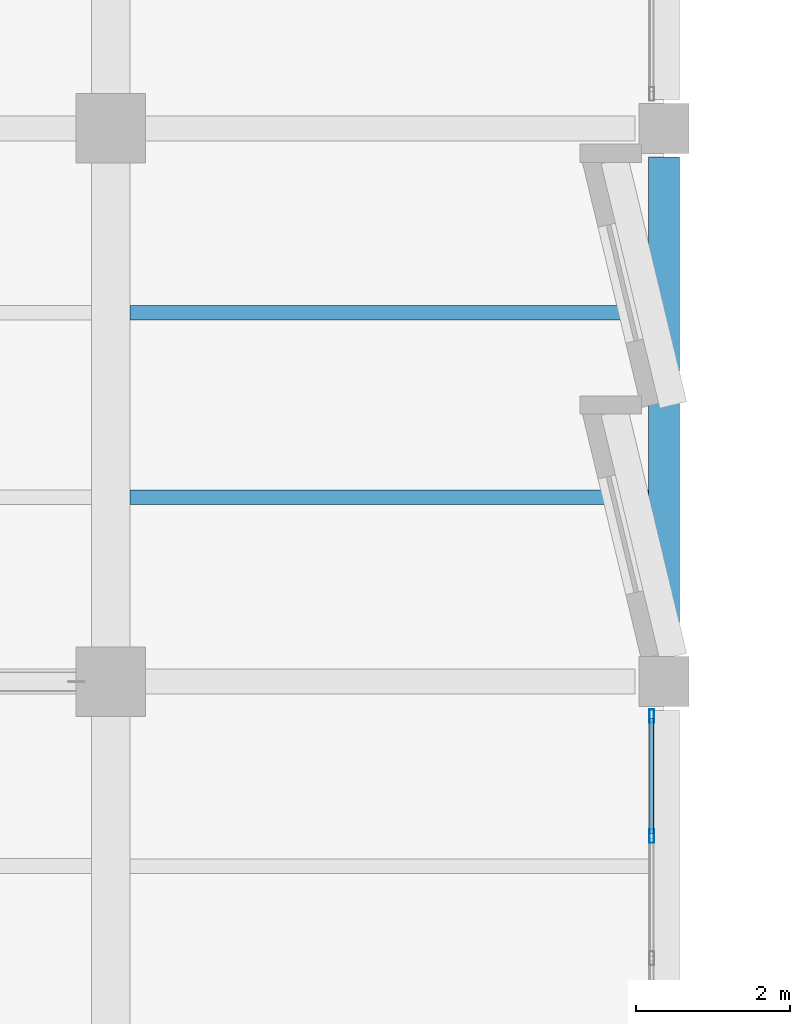
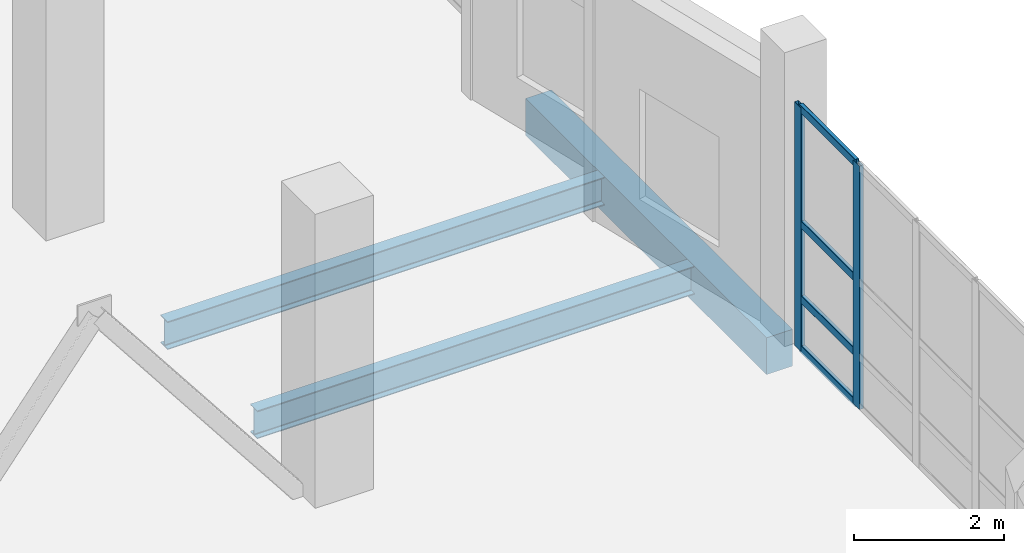
# One storey, part 18 of 127: 6 members, 3 beams, 1 element without a shape of its own.
"""IFC4 building model written with IfcOpenShell, lengths in metres."""

from ifc_helpers import new_model, si_unit, direction, frame, origin, origin_2d, place, context, subcontext, project, spatial, rectangle, hollow_rectangle, i_section, extrude, material, material_profile, profile_set, type_object, element, aggregate, save


model = new_model("IFC4")

# Units and contexts
model_context = context("Model", 3, precision=1e-05, world=origin(), true_north=direction((0.0, 1.0)))
body_context = subcontext(model_context, "Body", "Model", "MODEL_VIEW")
ifc_project = project(units=[si_unit("LENGTHUNIT", "METRE"), si_unit("AREAUNIT", "SQUARE_METRE"), si_unit("VOLUMEUNIT", "CUBIC_METRE"), si_unit("PLANEANGLEUNIT", "RADIAN"), si_unit("MASSUNIT", "GRAM", prefix="KILO")], contexts=[model_context])

# Site, building, storey
site_placement = place(None, origin())
site = spatial("IfcSite", under=ifc_project, at=site_placement, CompositionType="ELEMENT")
building_placement = place(site_placement, origin())
building = spatial("IfcBuilding", under=site, at=building_placement, Name="Kalmorath City Hall", CompositionType="ELEMENT")
storey_placement = place(building_placement, frame((0.0, 0.0, 5.39990234375)))
storey = spatial("IfcBuildingStorey", under=building, at=storey_placement, Name="L01", CompositionType="ELEMENT", Elevation=5.39990234375)

# Beam
ifc_material_1 = material(Name="Concrete C40/50", Category="concrete")
ifc_material_profile_1 = material_profile(ifc_material_1, rectangle(XDim=0.39990234375, YDim=0.60009765625, at=origin_2d()), Name="RC-BM-400X600")
ifc_profile_set_1 = profile_set([ifc_material_profile_1], Name="Concrete C40/50")
beam_type_1 = type_object("IfcBeamType", Name="Concrete edge beam 400x600", PredefinedType="SPANDREL", material=ifc_profile_set_1)
beam_placement = place(storey_placement, frame((28.800048828125, 50.77490234375, -0.6240234375), z_axis=(0.0, 1.0, 0.0), x_axis=(-1.0, 0.0, 0.0)))
element("IfcBeam", 1, at=beam_placement, inside=storey, type_object=beam_type_1, Name="L01 girder CB6 Y5/8-9", PredefinedType="SPANDREL", context=body_context, shape_type="SweptSolid", body=[
    extrude(rectangle(XDim=0.39990234375, YDim=0.60009765625, at=origin_2d()), origin(), (0.0, 0.0, 1.0), 6.4501953125),
])

# Curtain wall, members
ifc_material_2 = material(Name="Anodised aluminium and laminated glass", Category="aluminium")
curtain_wall_type = type_object("IfcCurtainWallType", Name="Unitised hurricane curtain wall 6370x3976 M1750", PredefinedType="NOTDEFINED", material=ifc_material_2)
curtain_wall_placement = place(storey_placement, origin())
curtain_wall = element("IfcCurtainWall", 2, at=curtain_wall_placement, inside=storey, type_object=curtain_wall_type, Name="L01 curtain wall CW-64X40M18 #111", PredefinedType="NOTDEFINED")
ifc_material_3 = material(Name="Anodised aluminium framing", Category="aluminium")
ifc_material_profile_2 = material_profile(ifc_material_3, hollow_rectangle(XDim=0.06494140625, YDim=0.179931640625, WallThickness=0.00390625, InnerFilletRadius=0.00390625, OuterFilletRadius=0.008056640625, at=origin_2d()), Name="ALU-MUL-180X65X4")
ifc_profile_set_2 = profile_set([ifc_material_profile_2], Name="Anodised aluminium framing")
member_type_1 = type_object("IfcMemberType", Name="Curtain-wall courtyard mullion 180x65", PredefinedType="MULLION", material=ifc_profile_set_2)
member_1_placement = place(storey_placement, frame((28.639892578125, 49.952392578125, 0.0), z_axis=(0.0, 0.0, 1.0), x_axis=(1.0, 0.0, 0.0)))
member_1 = element("IfcMember", 3, at=member_1_placement, type_object=member_type_1, Name="CW-64X40M18 mullion 1", PredefinedType="MULLION", context=body_context, shape_type="SweptSolid", body=[
    extrude(hollow_rectangle(XDim=0.06494140625, YDim=0.179931640625, WallThickness=0.00390625, InnerFilletRadius=0.00390625, OuterFilletRadius=0.008056640625, at=origin_2d()), origin(), (0.0, 0.0, 1.0), 3.97607421875),
])
member_2_placement = place(storey_placement, frame((28.639892578125, 48.392578125, 0.0), z_axis=(0.0, 0.0, 1.0), x_axis=(1.0, 0.0, 0.0)))
member_2 = element("IfcMember", 4, at=member_2_placement, type_object=member_type_1, Name="CW-64X40M18 mullion 2", PredefinedType="MULLION", context=body_context, shape_type="SweptSolid", body=[
    extrude(hollow_rectangle(XDim=0.06494140625, YDim=0.179931640625, WallThickness=0.00390625, InnerFilletRadius=0.00390625, OuterFilletRadius=0.008056640625, at=origin_2d()), origin(), (0.0, 0.0, 1.0), 3.97607421875),
])
ifc_material_4 = material(Name="Anodised aluminium framing", Category="aluminium")
ifc_material_profile_3 = material_profile(ifc_material_4, hollow_rectangle(XDim=0.06005859375, YDim=0.1298828125, WallThickness=0.00341796875, InnerFilletRadius=0.00341796875, OuterFilletRadius=0.007080078125, at=origin_2d()), Name="ALU-TRN-130X60X3.5")
ifc_profile_set_3 = profile_set([ifc_material_profile_3], Name="Anodised aluminium framing")
member_type_2 = type_object("IfcMemberType", Name="Curtain-wall courtyard transom 130x60", PredefinedType="USERDEFINED", material=ifc_profile_set_3)
member_3_placement = place(storey_placement, frame((28.639892578125, 49.919921875, 0.030029296875), z_axis=(0.0, -1.0, 0.0), x_axis=(1.0, 0.0, 0.0)))
member_3 = element("IfcMember", 5, at=member_3_placement, type_object=member_type_2, Name="CW-64X40M18 transom 1.1", ObjectType="TRANSOM", PredefinedType="USERDEFINED", context=body_context, shape_type="SweptSolid", body=[
    extrude(hollow_rectangle(XDim=0.06005859375, YDim=0.1298828125, WallThickness=0.00341796875, InnerFilletRadius=0.00341796875, OuterFilletRadius=0.007080078125, at=origin_2d()), origin(), (0.0, 0.0, 1.0), 1.494873046875),
])
member_4_placement = place(storey_placement, frame((28.639892578125, 49.919921875, 0.85009765625), z_axis=(0.0, -1.0, 0.0), x_axis=(1.0, 0.0, 0.0)))
member_4 = element("IfcMember", 6, at=member_4_placement, type_object=member_type_2, Name="CW-64X40M18 transom 1.2", ObjectType="TRANSOM", PredefinedType="USERDEFINED", context=body_context, shape_type="SweptSolid", body=[
    extrude(hollow_rectangle(XDim=0.06005859375, YDim=0.1298828125, WallThickness=0.00341796875, InnerFilletRadius=0.00341796875, OuterFilletRadius=0.007080078125, at=origin_2d()), origin(), (0.0, 0.0, 1.0), 1.494873046875),
])
member_5_placement = place(storey_placement, frame((28.639892578125, 49.919921875, 2.068115234375), z_axis=(0.0, -1.0, 0.0), x_axis=(1.0, 0.0, 0.0)))
member_5 = element("IfcMember", 7, at=member_5_placement, type_object=member_type_2, Name="CW-64X40M18 transom 1.3", ObjectType="TRANSOM", PredefinedType="USERDEFINED", context=body_context, shape_type="SweptSolid", body=[
    extrude(hollow_rectangle(XDim=0.06005859375, YDim=0.1298828125, WallThickness=0.00341796875, InnerFilletRadius=0.00341796875, OuterFilletRadius=0.007080078125, at=origin_2d()), origin(), (0.0, 0.0, 1.0), 1.494873046875),
])
member_6_placement = place(storey_placement, frame((28.639892578125, 49.919921875, 3.946044921875), z_axis=(0.0, -1.0, 0.0), x_axis=(1.0, 0.0, 0.0)))
member_6 = element("IfcMember", 8, at=member_6_placement, type_object=member_type_2, Name="CW-64X40M18 transom 1.4", ObjectType="TRANSOM", PredefinedType="USERDEFINED", context=body_context, shape_type="SweptSolid", body=[
    extrude(hollow_rectangle(XDim=0.06005859375, YDim=0.1298828125, WallThickness=0.00341796875, InnerFilletRadius=0.00341796875, OuterFilletRadius=0.007080078125, at=origin_2d()), origin(), (0.0, 0.0, 1.0), 1.494873046875),
])
aggregate(curtain_wall, [member_1, member_2, member_3, member_4, member_5, member_6])

# Beams
ifc_material_5 = material(Name="Steel ASTM A992 Grade 50", Category="steel")
ifc_material_profile_4 = material_profile(ifc_material_5, i_section(OverallWidth=0.19091796875, OverallDepth=0.45703125, WebThickness=0.009033203125, FlangeThickness=0.014404296875, FilletRadius=0.013916015625, at=origin_2d()), Name="W18X50")
ifc_profile_set_4 = profile_set([ifc_material_profile_4], Name="Steel ASTM A992 Grade 50")
beam_type_2 = type_object("IfcBeamType", Name="Steel composite joist W18X50", PredefinedType="JOIST", material=ifc_profile_set_4)
for number, where, z_axis, x_axis, name in (
    (9, (21.85009765625, 52.800048828125, -0.552490234375), (1.0, 0.0, 0.0), (0.0, 1.0, 0.0), "L01 joist SJ3 4.8.1"),
    (10, (21.85009765625, 55.199951171875, -0.552490234375), (1.0, 0.0, 0.0), (0.0, 1.0, 0.0), "L01 joist SJ3 4.8.2"),
):
    element("IfcBeam", number, at=place(storey_placement, frame(where, z_axis=z_axis, x_axis=x_axis)), inside=storey, type_object=beam_type_2, Name=name, PredefinedType="JOIST", context=body_context, shape_type="SweptSolid", body=[
        extrude(i_section(OverallWidth=0.19091796875, OverallDepth=0.45703125, WebThickness=0.009033203125, FlangeThickness=0.014404296875, FilletRadius=0.013916015625, at=origin_2d()), origin(), (0.0, 0.0, 1.0), 6.75),
    ])

save(model, "model.ifc")
